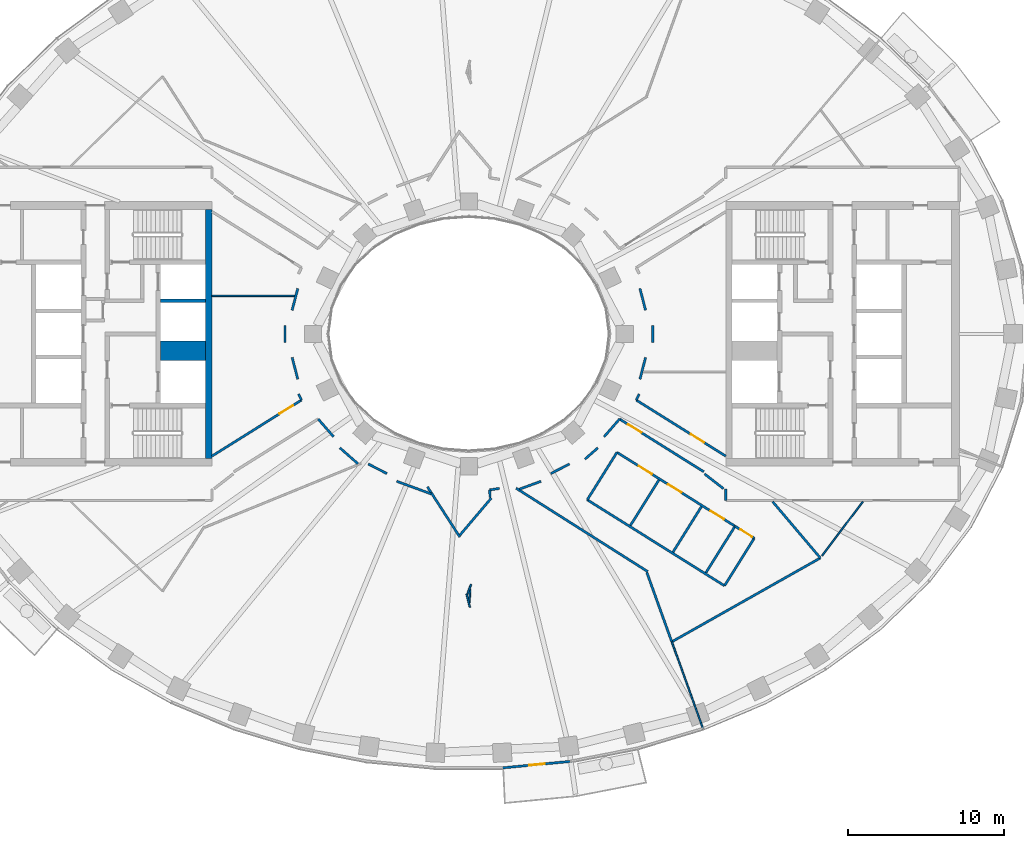
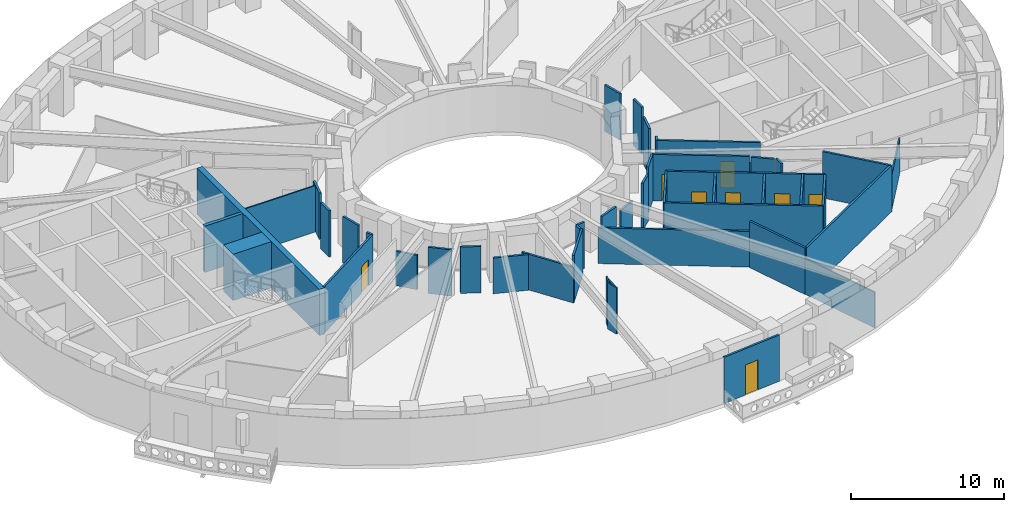
# One storey, part 4 of 16: 47 walls, 8 doors, 8 openings.
"""IFC4 building model written with IfcOpenShell, lengths in metres."""

from ifc_helpers import new_model, si_unit, direction, frame, frame_2d, origin, place, context, subcontext, project, spatial, rectangle, extrude, material, layer, layer_set, type_object, element, fill, save


model = new_model("IFC4")

# Units and contexts
model_context = context("Model", 3, precision=1e-05, world=origin(), true_north=direction((0.0, 1.0)))
body_context = subcontext(model_context, "Body", "Model", "MODEL_VIEW")
ifc_project = project(units=[si_unit("LENGTHUNIT", "METRE"), si_unit("AREAUNIT", "SQUARE_METRE"), si_unit("VOLUMEUNIT", "CUBIC_METRE"), si_unit("PLANEANGLEUNIT", "RADIAN"), si_unit("MASSUNIT", "GRAM", prefix="KILO")], contexts=[model_context])

# Site, building, storey
site_placement = place(None, origin())
site = spatial("IfcSite", under=ifc_project, at=site_placement, CompositionType="ELEMENT")
building_placement = place(site_placement, origin())
building = spatial("IfcBuilding", under=site, at=building_placement, Name="Noorbagh Ring Tower", CompositionType="ELEMENT")
storey_placement = place(building_placement, frame((0.0, 0.0, 162.0)))
storey = spatial("IfcBuildingStorey", under=building, at=storey_placement, Name="L37", CompositionType="ELEMENT", Elevation=162.0)

# Walls
ifc_material_1 = material(Name="Gypsum board on steel studs", Category="steel")
ifc_layer_1 = layer(ifc_material_1, 0.14990234375)
ifc_layer_set_1 = layer_set([ifc_layer_1], Name="Gypsum board on steel studs")
wall_type_1 = type_object("IfcWallType", Name="COMPARTMENT PARTITION 150 EI 60", PredefinedType="PARTITIONING", material=ifc_layer_set_1)
wall_1_placement = place(storey_placement, frame((15.22607421875, -15.341064453125, 0.0), z_axis=(0.0, 0.0, 1.0), x_axis=(0.530602850446, 0.847620560805, 0.0)))
element("IfcWall", 1, at=wall_1_placement, inside=storey, type_object=wall_type_1, Name="L37/wall/P77", PredefinedType="PARTITIONING", context=body_context, shape_type="SweptSolid", body=[
    extrude(rectangle(XDim=3.524169921875, YDim=0.14990234375, at=frame_2d((1.76220703125, 0.0))), origin(), (0.0, 0.0, 1.0), 3.699951171875),
])
wall_2_placement = place(storey_placement, frame((16.422119140625, -16.175048828125, 0.0), z_axis=(0.0, 0.0, 1.0), x_axis=(0.530578570881, 0.84763575911, 0.0)))
element("IfcWall", 2, at=wall_2_placement, inside=storey, type_object=wall_type_1, Name="L37/wall/P78", PredefinedType="PARTITIONING", context=body_context, shape_type="SweptSolid", body=[
    extrude(rectangle(XDim=3.595947265625, YDim=0.14990234375, at=frame_2d((1.7978515625, 0.0))), origin(), (0.0, 0.0, 1.0), 3.699951171875),
])

# Wall, opening, door
wall_3_placement = place(storey_placement, frame((17.095947265625, -12.35400390625, 0.0), z_axis=(0.0, 0.0, 1.0), x_axis=(0.847498728789, -0.530797423412, 0.0)))
wall_3 = element("IfcWall", 3, at=wall_3_placement, inside=storey, type_object=wall_type_1, Name="L37/wall/P83", PredefinedType="PARTITIONING", context=body_context, shape_type="SweptSolid", body=[
    extrude(rectangle(XDim=1.456298828125, YDim=0.14990234375, at=frame_2d((0.72802734375, 0.0))), origin(), (0.0, 0.0, 1.0), 3.699951171875),
])
opening_1_placement = place(wall_3_placement, frame((0.39990234375, 0.0, 0.0)))
opening_1 = element("IfcOpeningElement", 4, at=opening_1_placement, cuts=wall_3, Name="Opening D4", PredefinedType="OPENING", context=body_context, shape_type="SweptSolid", body=[
    extrude(rectangle(XDim=0.89990234375, YDim=2.10009765625, at=frame_2d((0.449951171875, 1.050048828125))), frame((0.0, 0.0849609375, 0.0), z_axis=(0.0, -1.0, 0.0), x_axis=(1.0, 0.0, 0.0)), (0.0, 0.0, 1.0), 0.169921875),
])
ifc_material_2 = material(Name="Timber, painted", Category="wood")
door_type_1 = type_object("IfcDoorType", Name="DOOR 900 X 2100 FD60", OperationType="SINGLE_SWING_LEFT", PredefinedType="DOOR", material=ifc_material_2)
door_1_placement = place(opening_1_placement, origin())
door_1 = element("IfcDoor", 5, at=door_1_placement, inside=storey, type_object=door_type_1, Name="L37-D05", OperationType="SINGLE_SWING_LEFT", OverallHeight=2.10009765625, OverallWidth=0.89990234375, PredefinedType="DOOR", context=body_context, shape_type="SweptSolid", body=[
    extrude(rectangle(XDim=0.89990234375, YDim=2.10009765625, at=frame_2d((0.449951171875, 1.050048828125))), frame((0.0, 0.02490234375, 0.0), z_axis=(0.0, -1.0, 0.0), x_axis=(1.0, 0.0, 0.0)), (0.0, 0.0, 1.0), 0.050048828125),
])
fill(opening_1, door_1)

# Walls
ifc_material_3 = material(Name="Concrete C60/75", Category="concrete")
ifc_layer_2 = layer(ifc_material_3, 1.25)
ifc_layer_set_2 = layer_set([ifc_layer_2], Name="Concrete C60/75")
wall_type_2 = type_object("IfcWallType", Name="CORE-WALL-1250-C60-75-EI120", PredefinedType="SHEAR", material=ifc_layer_set_2)
wall_4_placement = place(storey_placement, frame((-16.89990234375, -1.074951171875, 0.0), z_axis=(0.0, 0.0, 1.0), x_axis=(-1.0, 0.0, 0.0)))
element("IfcWall", 6, at=wall_4_placement, inside=storey, type_object=wall_type_2, Name="Core wall W", PredefinedType="SHEAR", context=body_context, shape_type="SweptSolid", body=[
    extrude(rectangle(XDim=2.900146484375, YDim=1.25, at=frame_2d((1.4501953125, 0.0))), origin(), (0.0, 0.0, 1.0), 3.699951171875),
])
ifc_material_4 = material(Name="Concrete C60/75", Category="concrete")
ifc_layer_3 = layer(ifc_material_4, 0.25)
ifc_layer_set_3 = layer_set([ifc_layer_3], Name="Concrete C60/75")
wall_type_3 = type_object("IfcWallType", Name="CORE-WALL-250-C60-75-EI120", PredefinedType="SHEAR", material=ifc_layer_set_3)
wall_5_placement = place(storey_placement, frame((-16.89990234375, 2.125, 0.0), z_axis=(0.0, 0.0, 1.0), x_axis=(-1.0, 0.0, 0.0)))
element("IfcWall", 7, at=wall_5_placement, inside=storey, type_object=wall_type_3, Name="Core wall W", PredefinedType="SHEAR", context=body_context, shape_type="SweptSolid", body=[
    extrude(rectangle(XDim=2.900146484375, YDim=0.25, at=frame_2d((1.4501953125, 0.0))), origin(), (0.0, 0.0, 1.0), 3.699951171875),
])
ifc_material_5 = material(Name="Concrete C60/75", Category="concrete")
ifc_layer_4 = layer(ifc_material_5, 0.39990234375)
ifc_layer_set_4 = layer_set([ifc_layer_4], Name="Concrete C60/75")
wall_type_4 = type_object("IfcWallType", Name="CORE-WALL-400-C60-75-EI240", PredefinedType="SHEAR", material=ifc_layer_set_4)
wall_6_placement = place(storey_placement, frame((-16.699951171875, -8.0, 0.0), z_axis=(0.0, 0.0, 1.0), x_axis=(0.0, 1.0, 0.0)))
element("IfcWall", 8, at=wall_6_placement, inside=storey, type_object=wall_type_4, Name="Core wall W", PredefinedType="SHEAR", context=body_context, shape_type="SweptSolid", body=[
    extrude(rectangle(XDim=16.0, YDim=0.39990234375, at=frame_2d((8.0, 0.0))), origin(), (0.0, 0.0, 1.0), 3.699951171875),
])

# Wall, opening, door
ifc_material_6 = material(Name="Gypsum board on steel studs", Category="steel")
ifc_layer_5 = layer(ifc_material_6, 0.14990234375)
ifc_layer_set_5 = layer_set([ifc_layer_5], Name="Gypsum board on steel studs")
wall_type_5 = type_object("IfcWallType", Name="CORRIDOR PARTITION 150 EI 30", PredefinedType="PARTITIONING", material=ifc_layer_set_5)
wall_7_placement = place(storey_placement, frame((-16.5, -7.85107421875, 0.0), z_axis=(0.0, 0.0, 1.0), x_axis=(0.847690706888, 0.530490777917, 0.0)))
wall_7 = element("IfcWall", 9, at=wall_7_placement, inside=storey, type_object=wall_type_5, Name="L37/wall/P17", PredefinedType="PARTITIONING", context=body_context, shape_type="SweptSolid", body=[
    extrude(rectangle(XDim=6.78076171875, YDim=0.14990234375, at=frame_2d((3.390380859375, 0.0))), origin(), (0.0, 0.0, 1.0), 3.699951171875),
])
opening_2_placement = place(wall_7_placement, frame((5.130615234375, 0.0, 0.0)))
opening_2 = element("IfcOpeningElement", 10, at=opening_2_placement, cuts=wall_7, Name="Opening D1", PredefinedType="OPENING", context=body_context, shape_type="SweptSolid", body=[
    extrude(rectangle(XDim=1.0, YDim=2.10009765625, at=frame_2d((0.5, 1.050048828125))), frame((0.0, 0.0849609375, 0.0), z_axis=(0.0, -1.0, 0.0), x_axis=(1.0, 0.0, 0.0)), (0.0, 0.0, 1.0), 0.169921875),
])
ifc_material_7 = material(Name="Timber, painted", Category="wood")
door_type_2 = type_object("IfcDoorType", Name="DOOR 1000 X 2100 FD30", OperationType="SINGLE_SWING_LEFT", PredefinedType="DOOR", material=ifc_material_7)
door_2_placement = place(opening_2_placement, origin())
door_2 = element("IfcDoor", 11, at=door_2_placement, inside=storey, type_object=door_type_2, Name="L37-D17", OperationType="SINGLE_SWING_LEFT", OverallHeight=2.10009765625, OverallWidth=1.0, PredefinedType="DOOR", context=body_context, shape_type="SweptSolid", body=[
    extrude(rectangle(XDim=1.0, YDim=2.10009765625, at=frame_2d((0.5, 1.050048828125))), frame((0.0, 0.02490234375, 0.0), z_axis=(0.0, -1.0, 0.0), x_axis=(1.0, 0.0, 0.0)), (0.0, 0.0, 1.0), 0.050048828125),
])
fill(opening_2, door_2)

# Walls
wall_8_placement = place(storey_placement, frame((-11.80810546875, -0.550048828125, 0.0), z_axis=(0.0, 0.0, 1.0), x_axis=(0.0, 1.0, 0.0)))
element("IfcWall", 12, at=wall_8_placement, inside=storey, type_object=wall_type_5, Name="L37/wall/P21", PredefinedType="PARTITIONING", context=body_context, shape_type="SweptSolid", body=[
    extrude(rectangle(XDim=1.10009765625, YDim=0.14990234375, at=frame_2d((0.550048828125, 0.0))), origin(), (0.0, 0.0, 1.0), 3.699951171875),
])
wall_9_placement = place(storey_placement, frame((-11.35107421875, 1.51611328125, 0.0), z_axis=(0.0, 0.0, 1.0), x_axis=(0.252153395539, 0.967687276509, 0.0)))
element("IfcWall", 13, at=wall_9_placement, inside=storey, type_object=wall_type_5, Name="L37/wall/P22", PredefinedType="PARTITIONING", context=body_context, shape_type="SweptSolid", body=[
    extrude(rectangle(XDim=1.443603515625, YDim=0.14990234375, at=frame_2d((0.7216796875, 0.0))), origin(), (0.0, 0.0, 1.0), 3.699951171875),
])
wall_10_placement = place(storey_placement, frame((-11.34912109375, -1.51806640625, 0.0), z_axis=(0.0, 0.0, 1.0), x_axis=(0.251214938505, -0.967931327457, 0.0)))
element("IfcWall", 14, at=wall_10_placement, inside=storey, type_object=wall_type_5, Name="L37/wall/P23", PredefinedType="PARTITIONING", context=body_context, shape_type="SweptSolid", body=[
    extrude(rectangle(XDim=1.441162109375, YDim=0.14990234375, at=frame_2d((0.720703125, 0.0))), origin(), (0.0, 0.0, 1.0), 3.699951171875),
])
wall_11_placement = place(storey_placement, frame((-10.93798828125, -3.863037109375, 0.0), z_axis=(0.0, 0.0, 1.0), x_axis=(0.429758433873, -0.90294390109, 0.0)))
element("IfcWall", 15, at=wall_11_placement, inside=storey, type_object=wall_type_5, Name="L37/wall/P24", PredefinedType="PARTITIONING", context=body_context, shape_type="SweptSolid", body=[
    extrude(rectangle(XDim=0.432861328125, YDim=0.14990234375, at=frame_2d((0.21630859375, 0.0))), origin(), (0.0, 0.0, 1.0), 3.699951171875),
])
wall_12_placement = place(storey_placement, frame((-9.678955078125, -5.468994140625, 0.0), z_axis=(0.0, 0.0, 1.0), x_axis=(0.656454677423, -0.75436546613, 0.0)))
element("IfcWall", 16, at=wall_12_placement, inside=storey, type_object=wall_type_5, Name="L37/wall/P26", PredefinedType="PARTITIONING", context=body_context, shape_type="SweptSolid", body=[
    extrude(rectangle(XDim=1.510986328125, YDim=0.14990234375, at=frame_2d((0.75537109375, 0.0))), origin(), (0.0, 0.0, 1.0), 2.75),
])
wall_13_placement = place(storey_placement, frame((-8.283935546875, -7.322021484375, 0.0), z_axis=(0.0, 0.0, 1.0), x_axis=(0.750666784408, -0.660680996235, 0.0)))
element("IfcWall", 17, at=wall_13_placement, inside=storey, type_object=wall_type_5, Name="L37/wall/P28", PredefinedType="PARTITIONING", context=body_context, shape_type="SweptSolid", body=[
    extrude(rectangle(XDim=1.5546875, YDim=0.14990234375, at=frame_2d((0.77734375, 0.0))), origin(), (0.0, 0.0, 1.0), 3.699951171875),
])
wall_14_placement = place(storey_placement, frame((-6.466064453125, -8.35595703125, 0.0), z_axis=(0.0, 0.0, 1.0), x_axis=(0.889472002788, -0.456989667559, 0.0)))
element("IfcWall", 18, at=wall_14_placement, inside=storey, type_object=wall_type_5, Name="L37/wall/P30", PredefinedType="PARTITIONING", context=body_context, shape_type="SweptSolid", body=[
    extrude(rectangle(XDim=1.354736328125, YDim=0.14990234375, at=frame_2d((0.67724609375, 0.0))), origin(), (0.0, 0.0, 1.0), 3.699951171875),
])
wall_15_placement = place(storey_placement, frame((-4.635986328125, -9.468017578125, 0.0), z_axis=(0.0, 0.0, 1.0), x_axis=(0.939059239116, -0.343755356949, 0.0)))
element("IfcWall", 19, at=wall_15_placement, inside=storey, type_object=wall_type_5, Name="L37/wall/P32", PredefinedType="PARTITIONING", context=body_context, shape_type="SweptSolid", body=[
    extrude(rectangle(XDim=2.3564453125, YDim=0.14990234375, at=frame_2d((1.17822265625, 0.0))), origin(), (0.0, 0.0, 1.0), 2.85009765625),
])
wall_16_placement = place(storey_placement, frame((-2.659912109375, -9.826904296875, 0.0), z_axis=(0.0, 0.0, 1.0), x_axis=(0.54249361556, -0.840059924694, 0.0)))
element("IfcWall", 20, at=wall_16_placement, inside=storey, type_object=wall_type_5, Name="L37/wall/P34", PredefinedType="PARTITIONING", context=body_context, shape_type="SweptSolid", body=[
    extrude(rectangle(XDim=3.835693359375, YDim=0.14990234375, at=frame_2d((1.91796875, 0.0))), origin(), (0.0, 0.0, 1.0), 2.85009765625),
])
wall_17_placement = place(storey_placement, frame((-0.571044921875, -12.923095703125, 0.0), z_axis=(0.0, 0.0, 1.0), x_axis=(0.646508532989, 0.762906754966, 0.0)))
element("IfcWall", 21, at=wall_17_placement, inside=storey, type_object=wall_type_5, Name="L37/wall/P36", PredefinedType="PARTITIONING", context=body_context, shape_type="SweptSolid", body=[
    extrude(rectangle(XDim=3.110595703125, YDim=0.14990234375, at=frame_2d((1.55517578125, 0.0))), origin(), (0.0, 0.0, 1.0), 3.699951171875),
])
wall_18_placement = place(storey_placement, frame((1.340087890625, -10.02197265625, 0.0), z_axis=(0.0, 0.0, 1.0), x_axis=(0.047890193459, -0.998852606429, 0.0)))
element("IfcWall", 22, at=wall_18_placement, inside=storey, type_object=wall_type_5, Name="L37/wall/P44", PredefinedType="PARTITIONING", context=body_context, shape_type="SweptSolid", body=[
    extrude(rectangle(XDim=0.49951171875, YDim=0.14990234375, at=frame_2d((0.249755859375, 0.0))), origin(), (0.0, 0.0, 1.0), 3.699951171875),
])
wall_19_placement = place(storey_placement, frame((1.340087890625, -10.02197265625, 0.0), z_axis=(0.0, 0.0, 1.0), x_axis=(0.988526694698, 0.151046264003, 0.0)))
element("IfcWall", 23, at=wall_19_placement, inside=storey, type_object=wall_type_5, Name="L37/wall/P45", PredefinedType="PARTITIONING", context=body_context, shape_type="SweptSolid", body=[
    extrude(rectangle(XDim=0.63525390625, YDim=0.14990234375, at=frame_2d((0.317626953125, 0.0))), origin(), (0.0, 0.0, 1.0), 3.699951171875),
])
wall_20_placement = place(storey_placement, frame((3.035888671875, -9.9150390625, 0.0), z_axis=(0.0, 0.0, 1.0), x_axis=(0.844814664865, -0.535059045367, 0.0)))
element("IfcWall", 24, at=wall_20_placement, inside=storey, type_object=wall_type_5, Name="L37/wall/P48", PredefinedType="PARTITIONING", context=body_context, shape_type="SweptSolid", body=[
    extrude(rectangle(XDim=10.00830078125, YDim=0.14990234375, at=frame_2d((5.004150390625, 0.0))), origin(), (0.0, 0.0, 1.0), 2.85009765625),
])
wall_21_placement = place(storey_placement, frame((3.2451171875, -9.97705078125, 0.0), z_axis=(0.0, 0.0, 1.0), x_axis=(0.939083928338, 0.343687904263, 0.0)))
element("IfcWall", 25, at=wall_21_placement, inside=storey, type_object=wall_type_5, Name="L37/wall/P50", PredefinedType="PARTITIONING", context=body_context, shape_type="SweptSolid", body=[
    extrude(rectangle(XDim=1.481201171875, YDim=0.14990234375, at=frame_2d((0.74072265625, 0.0))), origin(), (0.0, 0.0, 1.0), 3.699951171875),
])
wall_22_placement = place(storey_placement, frame((5.260986328125, -8.97509765625, 0.0), z_axis=(0.0, 0.0, 1.0), x_axis=(0.889472002788, 0.456989667559, 0.0)))
element("IfcWall", 26, at=wall_22_placement, inside=storey, type_object=wall_type_5, Name="L37/wall/P52", PredefinedType="PARTITIONING", context=body_context, shape_type="SweptSolid", body=[
    extrude(rectangle(XDim=1.354736328125, YDim=0.14990234375, at=frame_2d((0.67724609375, 0.0))), origin(), (0.0, 0.0, 1.0), 2.85009765625),
])
wall_23_placement = place(storey_placement, frame((7.4580078125, -8.049072265625, 0.0), z_axis=(0.0, 0.0, 1.0), x_axis=(0.75060787095, 0.660747927782, 0.0)))
element("IfcWall", 27, at=wall_23_placement, inside=storey, type_object=wall_type_5, Name="L37/wall/P54", PredefinedType="PARTITIONING", context=body_context, shape_type="SweptSolid", body=[
    extrude(rectangle(XDim=1.100341796875, YDim=0.14990234375, at=frame_2d((0.55029296875, 0.0))), origin(), (0.0, 0.0, 1.0), 3.699951171875),
])
wall_24_placement = place(storey_placement, frame((7.60498046875, -10.658935546875, 0.0), z_axis=(0.0, 0.0, 1.0), x_axis=(0.530602380468, 0.847620855006, 0.0)))
element("IfcWall", 28, at=wall_24_placement, inside=storey, type_object=wall_type_5, Name="L37/wall/P56", PredefinedType="PARTITIONING", context=body_context, shape_type="SweptSolid", body=[
    extrude(rectangle(XDim=3.599609375, YDim=0.14990234375, at=frame_2d((1.7998046875, 0.0))), origin(), (0.0, 0.0, 1.0), 3.699951171875),
])
wall_25_placement = place(storey_placement, frame((7.60791015625, -10.660888671875, 0.0), z_axis=(0.0, 0.0, 1.0), x_axis=(0.847562482532, -0.530695617284, 0.0)))
element("IfcWall", 29, at=wall_25_placement, inside=storey, type_object=wall_type_5, Name="L37/wall/P57", PredefinedType="PARTITIONING", context=body_context, shape_type="SweptSolid", body=[
    extrude(rectangle(XDim=10.392333984375, YDim=0.14990234375, at=frame_2d((5.1962890625, 0.0))), origin(), (0.0, 0.0, 1.0), 3.699951171875),
])
wall_26_placement = place(storey_placement, frame((8.68701171875, -6.60888671875, 0.0), z_axis=(0.0, 0.0, 1.0), x_axis=(0.656454677423, 0.75436546613, 0.0)))
element("IfcWall", 30, at=wall_26_placement, inside=storey, type_object=wall_type_5, Name="L37/wall/P58", PredefinedType="PARTITIONING", context=body_context, shape_type="SweptSolid", body=[
    extrude(rectangle(XDim=1.510986328125, YDim=0.14990234375, at=frame_2d((0.75537109375, 0.0))), origin(), (0.0, 0.0, 1.0), 3.699951171875),
])

# Wall, openings, doors
wall_27_placement = place(storey_placement, frame((9.513916015625, -7.610107421875, 0.0), z_axis=(0.0, 0.0, 1.0), x_axis=(0.847740567707, -0.530411095155, 0.0)))
wall_27 = element("IfcWall", 31, at=wall_27_placement, inside=storey, type_object=wall_type_5, Name="L37/wall/P60", PredefinedType="PARTITIONING", context=body_context, shape_type="SweptSolid", body=[
    extrude(rectangle(XDim=8.94384765625, YDim=0.14990234375, at=frame_2d((4.471923828125, 0.0))), origin(), (0.0, 0.0, 1.0), 3.699951171875),
])
opening_3_placement = place(wall_27_placement, frame((1.64990234375, 0.0, 0.0)))
opening_3 = element("IfcOpeningElement", 32, at=opening_3_placement, cuts=wall_27, Name="Opening D3", PredefinedType="OPENING", context=body_context, shape_type="SweptSolid", body=[
    extrude(rectangle(XDim=1.0, YDim=2.10009765625, at=frame_2d((0.5, 1.050048828125))), frame((0.0, 0.0849609375, 0.0), z_axis=(0.0, -1.0, 0.0), x_axis=(1.0, 0.0, 0.0)), (0.0, 0.0, 1.0), 0.169921875),
])
opening_4_placement = place(wall_27_placement, frame((3.874267578125, 0.0, 0.0)))
opening_4 = element("IfcOpeningElement", 33, at=opening_4_placement, cuts=wall_27, Name="Opening D3", PredefinedType="OPENING", context=body_context, shape_type="SweptSolid", body=[
    extrude(rectangle(XDim=1.0, YDim=2.10009765625, at=frame_2d((0.5, 1.050048828125))), frame((0.0, 0.0849609375, 0.0), z_axis=(0.0, -1.0, 0.0), x_axis=(1.0, 0.0, 0.0)), (0.0, 0.0, 1.0), 0.169921875),
])
opening_5_placement = place(wall_27_placement, frame((7.097900390625, 0.0, 0.0)))
opening_5 = element("IfcOpeningElement", 34, at=opening_5_placement, cuts=wall_27, Name="Opening D3", PredefinedType="OPENING", context=body_context, shape_type="SweptSolid", body=[
    extrude(rectangle(XDim=1.0, YDim=2.10009765625, at=frame_2d((0.5, 1.050048828125))), frame((0.0, 0.0849609375, 0.0), z_axis=(0.0, -1.0, 0.0), x_axis=(1.0, 0.0, 0.0)), (0.0, 0.0, 1.0), 0.169921875),
])
ifc_material_8 = material(Name="Timber, painted", Category="wood")
door_type_3 = type_object("IfcDoorType", Name="DOOR 1000 X 2100 WC", OperationType="SINGLE_SWING_LEFT", PredefinedType="DOOR", material=ifc_material_8)
door_3_placement = place(opening_3_placement, origin())
door_3 = element("IfcDoor", 35, at=door_3_placement, inside=storey, type_object=door_type_3, Name="L37-D02", OperationType="SINGLE_SWING_RIGHT", OverallHeight=2.10009765625, OverallWidth=1.0, PredefinedType="DOOR", context=body_context, shape_type="SweptSolid", body=[
    extrude(rectangle(XDim=1.0, YDim=2.10009765625, at=frame_2d((0.5, 1.050048828125))), frame((0.0, 0.02490234375, 0.0), z_axis=(0.0, -1.0, 0.0), x_axis=(1.0, 0.0, 0.0)), (0.0, 0.0, 1.0), 0.050048828125),
])
fill(opening_3, door_3)
door_4_placement = place(opening_4_placement, origin())
door_4 = element("IfcDoor", 36, at=door_4_placement, inside=storey, type_object=door_type_3, Name="L37-D03", OperationType="SINGLE_SWING_LEFT", OverallHeight=2.10009765625, OverallWidth=1.0, PredefinedType="DOOR", context=body_context, shape_type="SweptSolid", body=[
    extrude(rectangle(XDim=1.0, YDim=2.10009765625, at=frame_2d((0.5, 1.050048828125))), frame((0.0, 0.02490234375, 0.0), z_axis=(0.0, -1.0, 0.0), x_axis=(1.0, 0.0, 0.0)), (0.0, 0.0, 1.0), 0.050048828125),
])
fill(opening_4, door_4)
door_5_placement = place(opening_5_placement, origin())
door_5 = element("IfcDoor", 37, at=door_5_placement, inside=storey, type_object=door_type_3, Name="L37-D04", OperationType="SINGLE_SWING_RIGHT", OverallHeight=2.10009765625, OverallWidth=1.0, PredefinedType="DOOR", context=body_context, shape_type="SweptSolid", body=[
    extrude(rectangle(XDim=1.0, YDim=2.10009765625, at=frame_2d((0.5, 1.050048828125))), frame((0.0, 0.02490234375, 0.0), z_axis=(0.0, -1.0, 0.0), x_axis=(1.0, 0.0, 0.0)), (0.0, 0.0, 1.0), 0.050048828125),
])
fill(opening_5, door_5)

# Wall, opening, door
wall_28_placement = place(storey_placement, frame((9.678955078125, -5.468994140625, 0.0), z_axis=(0.0, 0.0, 1.0), x_axis=(0.847602682855, -0.530631408811, 0.0)))
wall_28 = element("IfcWall", 38, at=wall_28_placement, inside=storey, type_object=wall_type_5, Name="L37/wall/P61", PredefinedType="PARTITIONING", context=body_context, shape_type="SweptSolid", body=[
    extrude(rectangle(XDim=6.3828125, YDim=0.14990234375, at=frame_2d((3.19140625, 0.0))), origin(), (0.0, 0.0, 1.0), 3.699951171875),
])
opening_6_placement = place(wall_28_placement, frame((0.64990234375, 0.0, 0.0)))
opening_6 = element("IfcOpeningElement", 39, at=opening_6_placement, cuts=wall_28, Name="Opening D1", PredefinedType="OPENING", context=body_context, shape_type="SweptSolid", body=[
    extrude(rectangle(XDim=1.0, YDim=2.10009765625, at=frame_2d((0.5, 1.050048828125))), frame((0.0, 0.0849609375, 0.0), z_axis=(0.0, -1.0, 0.0), x_axis=(1.0, 0.0, 0.0)), (0.0, 0.0, 1.0), 0.169921875),
])
door_6_placement = place(opening_6_placement, origin())
door_6 = element("IfcDoor", 40, at=door_6_placement, inside=storey, type_object=door_type_2, Name="L37-D01", OperationType="SINGLE_SWING_LEFT", OverallHeight=2.10009765625, OverallWidth=1.0, PredefinedType="DOOR", context=body_context, shape_type="SweptSolid", body=[
    extrude(rectangle(XDim=1.0, YDim=2.10009765625, at=frame_2d((0.5, 1.050048828125))), frame((0.0, 0.02490234375, 0.0), z_axis=(0.0, -1.0, 0.0), x_axis=(1.0, 0.0, 0.0)), (0.0, 0.0, 1.0), 0.050048828125),
])
fill(opening_6, door_6)

# Walls
wall_29_placement = place(storey_placement, frame((10.376953125, -12.305908203125, 0.0), z_axis=(0.0, 0.0, 1.0), x_axis=(0.530889428354, 0.847441098167, 0.0)))
element("IfcWall", 41, at=wall_29_placement, inside=storey, type_object=wall_type_5, Name="L37/wall/P63", PredefinedType="PARTITIONING", context=body_context, shape_type="SweptSolid", body=[
    extrude(rectangle(XDim=3.448974609375, YDim=0.14990234375, at=frame_2d((1.724609375, 0.0))), origin(), (0.0, 0.0, 1.0), 3.699951171875),
])
wall_30_placement = place(storey_placement, frame((10.751953125, -4.25390625, 0.0), z_axis=(0.0, 0.0, 1.0), x_axis=(0.429758433873, 0.90294390109, 0.0)))
element("IfcWall", 42, at=wall_30_placement, inside=storey, type_object=wall_type_5, Name="L37/wall/P64", PredefinedType="PARTITIONING", context=body_context, shape_type="SweptSolid", body=[
    extrude(rectangle(XDim=0.432861328125, YDim=0.14990234375, at=frame_2d((0.21630859375, 0.0))), origin(), (0.0, 0.0, 1.0), 3.699951171875),
])

# Wall, opening, door
wall_31_placement = place(storey_placement, frame((10.751953125, -4.25390625, 0.0), z_axis=(0.0, 0.0, 1.0), x_axis=(0.847690706888, -0.530490777917, 0.0)))
wall_31 = element("IfcWall", 43, at=wall_31_placement, inside=storey, type_object=wall_type_5, Name="L37/wall/P65", PredefinedType="PARTITIONING", context=body_context, shape_type="SweptSolid", body=[
    extrude(rectangle(XDim=6.78076171875, YDim=0.14990234375, at=frame_2d((3.390380859375, 0.0))), origin(), (0.0, 0.0, 1.0), 3.699951171875),
])
opening_7_placement = place(wall_31_placement, frame((4.12939453125, 0.0, 0.0)))
opening_7 = element("IfcOpeningElement", 44, at=opening_7_placement, cuts=wall_31, Name="Opening D1", PredefinedType="OPENING", context=body_context, shape_type="SweptSolid", body=[
    extrude(rectangle(XDim=1.0, YDim=2.10009765625, at=frame_2d((0.5, 1.050048828125))), frame((0.0, 0.0849609375, 0.0), z_axis=(0.0, -1.0, 0.0), x_axis=(1.0, 0.0, 0.0)), (0.0, 0.0, 1.0), 0.169921875),
])
door_7_placement = place(opening_7_placement, origin())
door_7 = element("IfcDoor", 45, at=door_7_placement, inside=storey, type_object=door_type_2, Name="L37-D19", OperationType="SINGLE_SWING_LEFT", OverallHeight=2.10009765625, OverallWidth=1.0, PredefinedType="DOOR", context=body_context, shape_type="SweptSolid", body=[
    extrude(rectangle(XDim=1.0, YDim=2.10009765625, at=frame_2d((0.5, 1.050048828125))), frame((0.0, 0.02490234375, 0.0), z_axis=(0.0, -1.0, 0.0), x_axis=(1.0, 0.0, 0.0)), (0.0, 0.0, 1.0), 0.050048828125),
])
fill(opening_7, door_7)

# Walls
wall_32_placement = place(storey_placement, frame((10.987060546875, -2.9130859375, 0.0), z_axis=(0.0, 0.0, 1.0), x_axis=(0.252153395539, 0.967687276509, 0.0)))
element("IfcWall", 46, at=wall_32_placement, inside=storey, type_object=wall_type_5, Name="L37/wall/P68", PredefinedType="PARTITIONING", context=body_context, shape_type="SweptSolid", body=[
    extrude(rectangle(XDim=1.443603515625, YDim=0.14990234375, at=frame_2d((0.7216796875, 0.0))), origin(), (0.0, 0.0, 1.0), 3.699951171875),
])
wall_33_placement = place(storey_placement, frame((10.987060546875, 2.9130859375, 0.0), z_axis=(0.0, 0.0, 1.0), x_axis=(0.251214938505, -0.967931327457, 0.0)))
element("IfcWall", 47, at=wall_33_placement, inside=storey, type_object=wall_type_5, Name="L37/wall/P69", PredefinedType="PARTITIONING", context=body_context, shape_type="SweptSolid", body=[
    extrude(rectangle(XDim=1.441162109375, YDim=0.14990234375, at=frame_2d((0.720703125, 0.0))), origin(), (0.0, 0.0, 1.0), 3.699951171875),
])
wall_34_placement = place(storey_placement, frame((11.428955078125, -15.320068359375, 0.0), z_axis=(0.0, 0.0, 1.0), x_axis=(0.338520464006, -0.940959029634, 0.0)))
element("IfcWall", 48, at=wall_34_placement, inside=storey, type_object=wall_type_5, Name="L37/wall/P71", PredefinedType="PARTITIONING", context=body_context, shape_type="SweptSolid", body=[
    extrude(rectangle(XDim=4.7353515625, YDim=0.14990234375, at=frame_2d((2.36767578125, 0.0))), origin(), (0.0, 0.0, 1.0), 3.699951171875),
])
wall_35_placement = place(storey_placement, frame((11.80810546875, -0.550048828125, 0.0), z_axis=(0.0, 0.0, 1.0), x_axis=(0.0, 1.0, 0.0)))
element("IfcWall", 49, at=wall_35_placement, inside=storey, type_object=wall_type_5, Name="L37/wall/P73", PredefinedType="PARTITIONING", context=body_context, shape_type="SweptSolid", body=[
    extrude(rectangle(XDim=1.10009765625, YDim=0.14990234375, at=frame_2d((0.550048828125, 0.0))), origin(), (0.0, 0.0, 1.0), 3.699951171875),
])
wall_36_placement = place(storey_placement, frame((13.033935546875, -19.779052734375, 0.0), z_axis=(0.0, 0.0, 1.0), x_axis=(0.870903388322, 0.491454258512, 0.0)))
element("IfcWall", 50, at=wall_36_placement, inside=storey, type_object=wall_type_5, Name="L37/wall/P75", PredefinedType="PARTITIONING", context=body_context, shape_type="SweptSolid", body=[
    extrude(rectangle(XDim=10.955322265625, YDim=0.14990234375, at=frame_2d((5.4775390625, 0.0))), origin(), (0.0, 0.0, 1.0), 3.699951171875),
])
wall_37_placement = place(storey_placement, frame((13.110107421875, -14.01708984375, 0.0), z_axis=(0.0, 0.0, 1.0), x_axis=(0.530603340991, 0.847620253727, 0.0)))
element("IfcWall", 51, at=wall_37_placement, inside=storey, type_object=wall_type_5, Name="L37/wall/P76", PredefinedType="PARTITIONING", context=body_context, shape_type="SweptSolid", body=[
    extrude(rectangle(XDim=3.448486328125, YDim=0.14990234375, at=frame_2d((1.72412109375, 0.0))), origin(), (0.0, 0.0, 1.0), 3.699951171875),
])
wall_38_placement = place(storey_placement, frame((16.5, -10.699951171875, 0.0), z_axis=(0.0, 0.0, 1.0), x_axis=(0.0, 1.0, 0.0)))
element("IfcWall", 52, at=wall_38_placement, inside=storey, type_object=wall_type_5, Name="L37/wall/P79", PredefinedType="PARTITIONING", context=body_context, shape_type="SweptSolid", body=[
    extrude(rectangle(XDim=0.73583984375, YDim=0.14990234375, at=frame_2d((0.367919921875, 0.0))), origin(), (0.0, 0.0, 1.0), 3.699951171875),
])
wall_39_placement = place(storey_placement, frame((19.510986328125, -10.778076171875, 0.0), z_axis=(0.0, 0.0, 1.0), x_axis=(0.646369264436, -0.763024753197, 0.0)))
element("IfcWall", 53, at=wall_39_placement, inside=storey, type_object=wall_type_5, Name="L37/wall/P84", PredefinedType="PARTITIONING", context=body_context, shape_type="SweptSolid", body=[
    extrude(rectangle(XDim=4.740234375, YDim=0.14990234375, at=frame_2d((2.3701171875, 0.0))), origin(), (0.0, 0.0, 1.0), 3.699951171875),
])
wall_40_placement = place(storey_placement, frame((16.35205078125, -9.94189453125, 0.0), z_axis=(0.0, 0.0, 1.0), x_axis=(-0.788950226826, 0.614457109643, 0.0)))
element("IfcWall", 54, at=wall_40_placement, inside=storey, type_object=wall_type_5, Name="L37/wall/P93", PredefinedType="PARTITIONING", context=body_context, shape_type="SweptSolid", body=[
    extrude(rectangle(XDim=1.53759765625, YDim=0.14990234375, at=frame_2d((0.768798828125, 0.0))), origin(), (0.0, 0.0, 1.0), 3.699951171875),
])

# Wall, opening, door
ifc_material_9 = material(Name="Insulated aluminium clad panel", Category="aluminium")
ifc_layer_6 = layer(ifc_material_9, 0.14990234375)
ifc_layer_set_6 = layer_set([ifc_layer_6], Name="Insulated aluminium clad panel")
wall_type_6 = type_object("IfcWallType", Name="ENV-WALL-DOOR", PredefinedType="STANDARD", material=ifc_layer_set_6)
wall_41_placement = place(storey_placement, frame((2.166259765625, -27.875244140625, 0.0), z_axis=(0.0, 0.0, 1.0), x_axis=(0.995473879823, 0.095035543824, 0.0)))
wall_41 = element("IfcWall", 55, at=wall_41_placement, inside=storey, type_object=wall_type_6, Name="Balcony door wall chord 36", PredefinedType="STANDARD", context=body_context, shape_type="SweptSolid", body=[
    extrude(rectangle(XDim=4.42626953125, YDim=0.14990234375, at=frame_2d((2.213134765625, 0.0))), origin(), (0.0, 0.0, 1.0), 3.699951171875),
])
opening_8_placement = place(wall_41_placement, frame((1.713134765625, 0.0, 0.0)))
opening_8 = element("IfcOpeningElement", 56, at=opening_8_placement, cuts=wall_41, Name="Opening D-BL", PredefinedType="OPENING", context=body_context, shape_type="SweptSolid", body=[
    extrude(rectangle(XDim=1.0, YDim=2.39990234375, at=frame_2d((0.5, 1.199951171875))), frame((0.0, 0.0849609375, 0.0), z_axis=(0.0, -1.0, 0.0), x_axis=(1.0, 0.0, 0.0)), (0.0, 0.0, 1.0), 0.169921875),
])
ifc_material_10 = material(Name="Aluminium and glass", Category="aluminium")
door_type_4 = type_object("IfcDoorType", Name="ENV-DOOR-BALCONY", OperationType="SINGLE_SWING_LEFT", PredefinedType="DOOR", material=ifc_material_10)
door_8_placement = place(opening_8_placement, origin())
door_8 = element("IfcDoor", 57, at=door_8_placement, inside=storey, type_object=door_type_4, Name="Balcony door chord 36", OperationType="SINGLE_SWING_RIGHT", OverallHeight=2.39990234375, OverallWidth=1.0, PredefinedType="DOOR", context=body_context, shape_type="SweptSolid", body=[
    extrude(rectangle(XDim=1.0, YDim=2.39990234375, at=frame_2d((0.5, 1.199951171875))), frame((0.0, 0.02490234375, 0.0), z_axis=(0.0, -1.0, 0.0), x_axis=(1.0, 0.0, 0.0)), (0.0, 0.0, 1.0), 0.050048828125),
])
fill(opening_8, door_8)

# Walls
ifc_material_11 = material(Name="Gypsum board on steel studs", Category="steel")
ifc_layer_7 = layer(ifc_material_11, 0.10009765625)
ifc_layer_set_7 = layer_set([ifc_layer_7], Name="Gypsum board on steel studs")
wall_type_7 = type_object("IfcWallType", Name="PARTITION 100 GYPSUM", PredefinedType="PARTITIONING", material=ifc_layer_set_7)
wall_42_placement = place(storey_placement, frame((-16.5, 2.43994140625, 0.0), z_axis=(0.0, 0.0, 1.0), x_axis=(1.0, 0.0, 0.0)))
element("IfcWall", 58, at=wall_42_placement, inside=storey, type_object=wall_type_7, Name="L37/wall/P15", PredefinedType="PARTITIONING", context=body_context, shape_type="SweptSolid", body=[
    extrude(rectangle(XDim=5.306884765625, YDim=0.10009765625, at=frame_2d((2.6533203125, 0.0))), origin(), (0.0, 0.0, 1.0), 3.699951171875),
])
wall_43_placement = place(storey_placement, frame((-0.14306640625, -16.715087890625, 0.0), z_axis=(0.0, 0.0, 1.0), x_axis=(0.239035325833, -0.971010871723, 0.0)))
element("IfcWall", 59, at=wall_43_placement, inside=storey, type_object=wall_type_7, Name="L37/wall/P38", PredefinedType="PARTITIONING", context=body_context, shape_type="SweptSolid", body=[
    extrude(rectangle(XDim=0.8701171875, YDim=0.10009765625, at=frame_2d((0.43505859375, 0.0))), origin(), (0.0, 0.0, 1.0), 3.699951171875),
])
wall_44_placement = place(storey_placement, frame((-0.090087890625, -16.717041015625, 0.0), z_axis=(0.0, 0.0, 1.0), x_axis=(0.337600885579, 0.941289350867, 0.0)))
element("IfcWall", 60, at=wall_44_placement, inside=storey, type_object=wall_type_7, Name="L37/wall/P39", PredefinedType="PARTITIONING", context=body_context, shape_type="SweptSolid", body=[
    extrude(rectangle(XDim=0.672607421875, YDim=0.10009765625, at=frame_2d((0.33642578125, 0.0))), origin(), (0.0, 0.0, 1.0), 3.699951171875),
])
wall_45_placement = place(storey_placement, frame((0.0400390625, -17.278076171875, 0.0), z_axis=(0.0, 0.0, 1.0), x_axis=(0.047868385867, 0.99885365176, 0.0)))
element("IfcWall", 61, at=wall_45_placement, inside=storey, type_object=wall_type_7, Name="L37/wall/P42", PredefinedType="PARTITIONING", context=body_context, shape_type="SweptSolid", body=[
    extrude(rectangle(XDim=0.91796875, YDim=0.10009765625, at=frame_2d((0.458984375, 0.0))), origin(), (0.0, 0.0, 1.0), 3.699951171875),
])
wall_46_placement = place(storey_placement, frame((13.031982421875, -19.77587890625, 0.0), z_axis=(0.0, 0.0, 1.0), x_axis=(0.338352371411, -0.941019485856, 0.0)))
element("IfcWall", 62, at=wall_46_placement, inside=storey, type_object=wall_type_7, Name="L37/wall/P74", PredefinedType="PARTITIONING", context=body_context, shape_type="SweptSolid", body=[
    extrude(rectangle(XDim=5.958740234375, YDim=0.10009765625, at=frame_2d((2.9794921875, 0.0))), origin(), (0.0, 0.0, 1.0), 2.85009765625),
])
wall_47_placement = place(storey_placement, frame((22.68798828125, -14.2451171875, 0.0), z_axis=(0.0, 0.0, 1.0), x_axis=(0.6020222506, 0.798479310804, 0.0)))
element("IfcWall", 63, at=wall_47_placement, inside=storey, type_object=wall_type_7, Name="L37/wall/P86", PredefinedType="PARTITIONING", context=body_context, shape_type="SweptSolid", body=[
    extrude(rectangle(XDim=4.342041015625, YDim=0.10009765625, at=frame_2d((2.1708984375, 0.0))), origin(), (0.0, 0.0, 1.0), 2.75),
])

save(model, "model.ifc")
